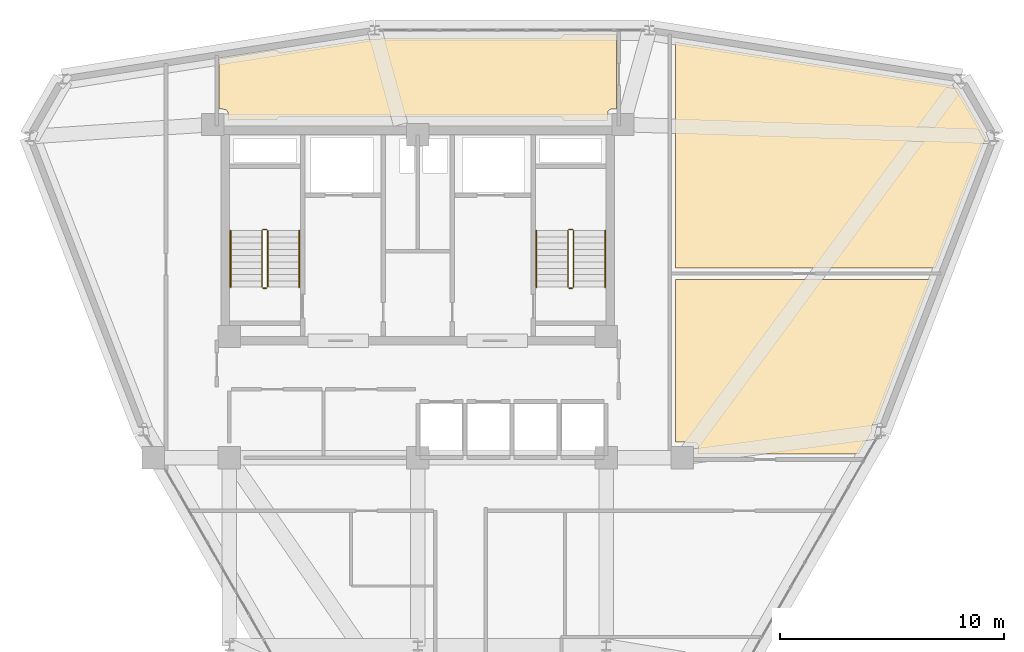
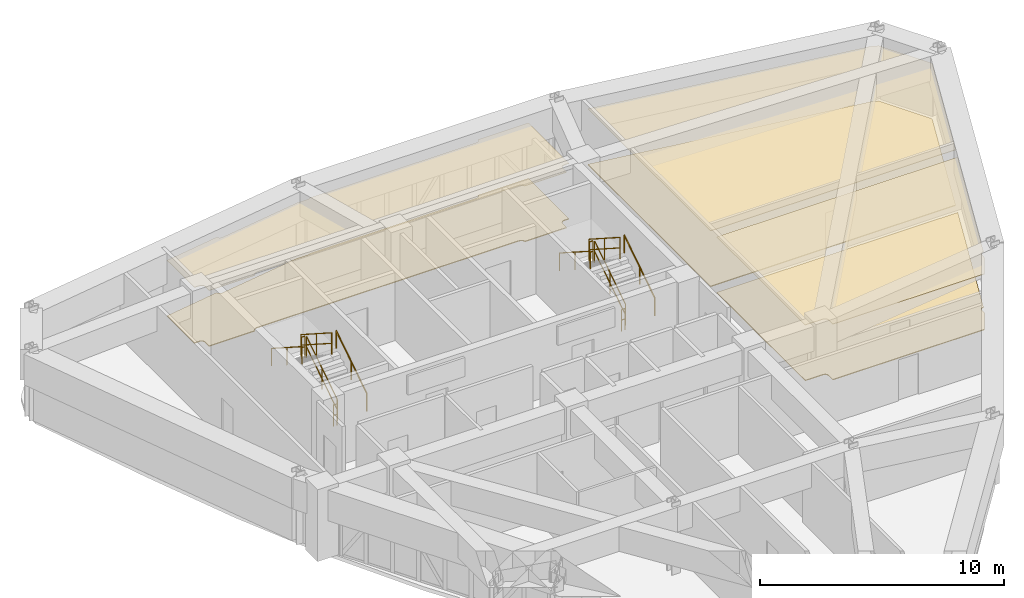
# One storey, part 19 of 19: 12 railings, 6 coverings.
"""IFC4 building model written with IfcOpenShell, lengths in metres."""

from ifc_helpers import new_model, si_unit, derived_unit, direction, frame, origin, origin_2d, place, context, subcontext, project, spatial, polyline, circle, outline, extrude, material, layer, layer_set, type_object, element, save


model = new_model("IFC4")

# Units and contexts
model_context = context("Model", 3, precision=1e-05, world=origin(), true_north=direction((0.0, 1.0)))
body_context = subcontext(model_context, "Body", "Model", "MODEL_VIEW")
ifc_project = project(units=[si_unit("LENGTHUNIT", "METRE"), si_unit("AREAUNIT", "SQUARE_METRE"), si_unit("VOLUMEUNIT", "CUBIC_METRE"), si_unit("PLANEANGLEUNIT", "RADIAN"), si_unit("MASSUNIT", "GRAM", prefix="KILO"), derived_unit("THERMALTRANSMITTANCEUNIT", [(si_unit("POWERUNIT", "WATT"), 1), (si_unit("LENGTHUNIT", "METRE"), -2), (si_unit("THERMODYNAMICTEMPERATUREUNIT", "KELVIN"), -1)])], contexts=[model_context])

# Site, building, storey
site_placement = place(None, origin())
site = spatial("IfcSite", under=ifc_project, at=site_placement, CompositionType="ELEMENT")
building_placement = place(site_placement, origin())
building = spatial("IfcBuilding", under=site, at=building_placement, Name="Korsvarv Bourse and Concert Hall", CompositionType="ELEMENT")
storey_placement = place(building_placement, frame((0.0, 0.0, 223.800048828125)))
storey = spatial("IfcBuildingStorey", under=building, at=storey_placement, Name="L58", CompositionType="ELEMENT", Elevation=223.800048828125)

# Coverings
ifc_material_1 = material(Name="Perforated mineral-wool and birch acoustic baffle ceiling", Category="wood")
ifc_layer_1 = layer(ifc_material_1, 0.02490234375)
ifc_layer_set_1 = layer_set([ifc_layer_1], Name="Perforated mineral-wool and birch acoustic baffle ceiling")
covering_type_1 = type_object("IfcCoveringType", Name="COV-CEIL-1", PredefinedType="CEILING", material=ifc_layer_set_1)
covering_1_placement = place(storey_placement, frame((0.0, 0.0, 2.7900390625)))
element("IfcCovering", 1, at=covering_1_placement, inside=storey, type_object=covering_type_1, Name="L58 acoustic baffle ceiling 1", PredefinedType="CEILING", context=body_context, shape_type="SweptSolid", body=[
    extrude(outline(polyline([(59.8564453125, 48.976806640625), (59.876953125, 48.947265625), (59.90283203125, 48.922119140625), (59.933349609375, 48.902587890625), (59.967041015625, 48.889892578125), (60.00244140625, 48.8837890625), (60.060546875, 48.880126953125), (61.314208984375, 46.708984375), (61.314208984375, 46.63427734375), (59.082275390625, 40.85009765625), (47.47998046875, 40.85009765625), (47.47998046875, 50.923828125), (59.8564453125, 48.976806640625)])), origin(), (0.0, 0.0, 1.0), 0.02490234375),
])
covering_2_placement = place(storey_placement, frame((0.0, 0.0, 2.7900390625)))
element("IfcCovering", 2, at=covering_2_placement, inside=storey, type_object=covering_type_1, Name="L58 acoustic baffle ceiling 2", PredefinedType="CEILING", context=body_context, shape_type="SweptSolid", body=[
    extrude(outline(polyline([(48.489990234375, 32.570068359375), (48.489990234375, 32.89990234375), (48.486572265625, 32.934814453125), (48.4765625, 32.968505859375), (48.4599609375, 32.99951171875), (48.43798828125, 33.026611328125), (48.410888671875, 33.049072265625), (48.380126953125, 33.06591796875), (48.3466796875, 33.076171875), (48.311767578125, 33.080078125), (47.47998046875, 33.088134765625), (47.47998046875, 40.35009765625), (58.889404296875, 40.35009765625), (56.428466796875, 33.9716796875), (56.402099609375, 33.968994140625), (56.369140625, 33.958984375), (56.338623046875, 33.943359375), (56.3115234375, 33.921875), (56.289306640625, 33.895751953125), (56.272216796875, 33.86572265625), (56.26123046875, 33.8330078125), (56.256591796875, 33.798828125), (56.248291015625, 33.57666015625), (55.666748046875, 32.5693359375), (48.489990234375, 32.570068359375)])), origin(), (0.0, 0.0, 1.0), 0.02490234375),
])
covering_3_placement = place(storey_placement, frame((0.0, 0.0, 2.7900390625)))
element("IfcCovering", 3, at=covering_3_placement, inside=storey, type_object=covering_type_1, Name="L58 acoustic baffle ceiling 3", PredefinedType="CEILING", context=body_context, shape_type="SweptSolid", body=[
    extrude(outline(polyline([(29.71533203125, 50.583984375), (29.724365234375, 50.560302734375), (29.74267578125, 50.52978515625), (29.766357421875, 50.50341796875), (29.794921875, 50.482421875), (29.8271484375, 50.46728515625), (29.861572265625, 50.458740234375), (29.89697265625, 50.457275390625), (33.822021484375, 51.065185546875), (33.84814453125, 51.06005859375), (34.281005859375, 51.052001953125), (34.317138671875, 51.054931640625), (34.35205078125, 51.065185546875), (34.38427734375, 51.08251953125), (34.412109375, 51.105712890625), (42.31005859375, 51.10986328125), (42.34619140625, 51.113525390625), (42.381103515625, 51.12451171875), (42.412841796875, 51.14208984375), (42.4404296875, 51.166015625), (42.462646484375, 51.194580078125), (42.478759765625, 51.227294921875), (42.48779296875, 51.2626953125), (44.8701171875, 51.27001953125), (44.8701171875, 47.93994140625), (44.64990234375, 47.93994140625), (44.615234375, 47.9365234375), (44.581787109375, 47.926513671875), (44.551025390625, 47.910400390625), (44.52392578125, 47.888427734375), (44.501708984375, 47.86181640625), (44.48486328125, 47.831298828125), (44.47412109375, 47.798095703125), (44.469970703125, 47.763671875), (44.463623046875, 47.43994140625), (42.48876953125, 47.43994140625), (42.484130859375, 47.465087890625), (42.4716796875, 47.499267578125), (42.452392578125, 47.5302734375), (42.42724609375, 47.556640625), (42.397216796875, 47.577392578125), (42.364013671875, 47.591796875), (42.328125, 47.59912109375), (29.889892578125, 47.60009765625), (29.853759765625, 47.59619140625), (29.819091796875, 47.58544921875), (29.787109375, 47.567626953125), (29.759521484375, 47.5439453125), (29.7373046875, 47.51513671875), (29.72119140625, 47.482421875), (29.712158203125, 47.447265625), (27.5400390625, 47.43994140625), (27.5400390625, 47.75), (27.53662109375, 47.78466796875), (27.526611328125, 47.81787109375), (27.510498046875, 47.8486328125), (27.48876953125, 47.875732421875), (27.46240234375, 47.898193359375), (27.431884765625, 47.9150390625), (27.39892578125, 47.92578125), (27.364501953125, 47.929931640625), (27.1298828125, 47.935791015625), (27.1298828125, 50.168701171875), (29.71533203125, 50.583984375)])), origin(), (0.0, 0.0, 1.0), 0.02490234375),
])
ifc_material_2 = material(Name="Calcium-sulphate raised access trading floor with Nordic oak top", Category="wood")
ifc_layer_2 = layer(ifc_material_2, 0.0400390625)
ifc_layer_set_2 = layer_set([ifc_layer_2], Name="Calcium-sulphate raised access trading floor with Nordic oak top")
covering_type_2 = type_object("IfcCoveringType", Name="COV-FLOR-1", PredefinedType="FLOORING", material=ifc_layer_set_2)
covering_4_placement = place(storey_placement, origin())
element("IfcCovering", 4, at=covering_4_placement, inside=storey, type_object=covering_type_2, Name="L58 raised access oak floor finish 1", PredefinedType="FLOORING", context=body_context, shape_type="SweptSolid", body=[
    extrude(outline(polyline([(59.8564453125, 48.976806640625), (59.876953125, 48.947265625), (59.90283203125, 48.922119140625), (59.933349609375, 48.902587890625), (59.967041015625, 48.889892578125), (60.00244140625, 48.8837890625), (60.060546875, 48.880126953125), (61.314208984375, 46.708984375), (61.314208984375, 46.63427734375), (59.082275390625, 40.85009765625), (47.47998046875, 40.85009765625), (47.47998046875, 50.923828125), (59.8564453125, 48.976806640625)])), origin(), (0.0, 0.0, 1.0), 0.0400390625),
])
covering_5_placement = place(storey_placement, origin())
element("IfcCovering", 5, at=covering_5_placement, inside=storey, type_object=covering_type_2, Name="L58 raised access oak floor finish 2", PredefinedType="FLOORING", context=body_context, shape_type="SweptSolid", body=[
    extrude(outline(polyline([(48.489990234375, 32.570068359375), (48.489990234375, 32.89990234375), (48.486572265625, 32.934814453125), (48.4765625, 32.968505859375), (48.4599609375, 32.99951171875), (48.43798828125, 33.026611328125), (48.410888671875, 33.049072265625), (48.380126953125, 33.06591796875), (48.3466796875, 33.076171875), (48.311767578125, 33.080078125), (47.47998046875, 33.088134765625), (47.47998046875, 40.35009765625), (58.889404296875, 40.35009765625), (56.428466796875, 33.9716796875), (56.402099609375, 33.968994140625), (56.369140625, 33.958984375), (56.338623046875, 33.943359375), (56.3115234375, 33.921875), (56.289306640625, 33.895751953125), (56.272216796875, 33.86572265625), (56.26123046875, 33.8330078125), (56.256591796875, 33.798828125), (56.248291015625, 33.57666015625), (55.666748046875, 32.5693359375), (48.489990234375, 32.570068359375)])), origin(), (0.0, 0.0, 1.0), 0.0400390625),
])
covering_6_placement = place(storey_placement, origin())
element("IfcCovering", 6, at=covering_6_placement, inside=storey, type_object=covering_type_2, Name="L58 raised access oak floor finish 3", PredefinedType="FLOORING", context=body_context, shape_type="SweptSolid", body=[
    extrude(outline(polyline([(29.71533203125, 50.583984375), (29.724365234375, 50.560302734375), (29.74267578125, 50.52978515625), (29.766357421875, 50.50341796875), (29.794921875, 50.482421875), (29.8271484375, 50.46728515625), (29.861572265625, 50.458740234375), (29.89697265625, 50.457275390625), (33.822021484375, 51.065185546875), (33.84814453125, 51.06005859375), (34.281005859375, 51.052001953125), (34.317138671875, 51.054931640625), (34.35205078125, 51.065185546875), (34.38427734375, 51.08251953125), (34.412109375, 51.105712890625), (42.31005859375, 51.10986328125), (42.34619140625, 51.113525390625), (42.381103515625, 51.12451171875), (42.412841796875, 51.14208984375), (42.4404296875, 51.166015625), (42.462646484375, 51.194580078125), (42.478759765625, 51.227294921875), (42.48779296875, 51.2626953125), (44.8701171875, 51.27001953125), (44.8701171875, 47.93994140625), (44.64990234375, 47.93994140625), (44.615234375, 47.9365234375), (44.581787109375, 47.926513671875), (44.551025390625, 47.910400390625), (44.52392578125, 47.888427734375), (44.501708984375, 47.86181640625), (44.48486328125, 47.831298828125), (44.47412109375, 47.798095703125), (44.469970703125, 47.763671875), (44.463623046875, 47.43994140625), (42.48876953125, 47.43994140625), (42.484130859375, 47.465087890625), (42.4716796875, 47.499267578125), (42.452392578125, 47.5302734375), (42.42724609375, 47.556640625), (42.397216796875, 47.577392578125), (42.364013671875, 47.591796875), (42.328125, 47.59912109375), (29.889892578125, 47.60009765625), (29.853759765625, 47.59619140625), (29.819091796875, 47.58544921875), (29.787109375, 47.567626953125), (29.759521484375, 47.5439453125), (29.7373046875, 47.51513671875), (29.72119140625, 47.482421875), (29.712158203125, 47.447265625), (27.5400390625, 47.43994140625), (27.5400390625, 47.75), (27.53662109375, 47.78466796875), (27.526611328125, 47.81787109375), (27.510498046875, 47.8486328125), (27.48876953125, 47.875732421875), (27.46240234375, 47.898193359375), (27.431884765625, 47.9150390625), (27.39892578125, 47.92578125), (27.364501953125, 47.929931640625), (27.1298828125, 47.935791015625), (27.1298828125, 50.168701171875), (29.71533203125, 50.583984375)])), origin(), (0.0, 0.0, 1.0), 0.0400390625),
])

# Railings
ifc_material_3 = material(Name="Painted Steel S355 stair well guardrail", Category="steel")
railing_type_1 = type_object("IfcRailingType", Name="RL-ST-GRD", PredefinedType="GUARDRAIL", material=ifc_material_3)
railing_1_placement = place(storey_placement, frame((29.31005859375, 40.0, 0.179931640625)))
element("IfcRailing", 7, at=railing_1_placement, inside=storey, type_object=railing_type_1, Name="L58 ST-T1 stair guard 1", PredefinedType="GUARDRAIL", context=body_context, shape_type="SweptSolid", body=[
    extrude(circle(Radius=0.02392578125, at=origin_2d()), frame((0.0, 0.0, 1.076171875), z_axis=(0.0, 0.841162588446, 0.540782303519), x_axis=(-1.0, 0.0, 0.0)), (0.0, 0.0, 1.0), 2.995849609375),
    extrude(circle(Radius=0.02392578125, at=origin_2d()), frame((0.0, 0.0, 0.550048828125), z_axis=(0.0, 0.841162588446, 0.540782303519), x_axis=(-1.0, 0.0, 0.0)), (0.0, 0.0, 1.0), 2.995849609375),
    extrude(circle(Radius=0.02099609375, at=origin_2d()), origin(), (0.0, 0.0, 1.0), 1.052001953125),
    extrude(circle(Radius=0.02099609375, at=origin_2d()), frame((0.0, 1.260009765625, 0.81005859375)), (0.0, 0.0, 1.0), 1.052001953125),
    extrude(circle(Radius=0.02099609375, at=origin_2d()), frame((0.0, 2.52001953125, 1.6201171875)), (0.0, 0.0, 1.0), 1.052001953125),
])
railing_2_placement = place(storey_placement, frame((29.260009765625, 42.570068359375, 1.800048828125)))
element("IfcRailing", 8, at=railing_2_placement, inside=storey, type_object=railing_type_1, Name="L58 ST-T1 stair guard 2", PredefinedType="GUARDRAIL", context=body_context, shape_type="SweptSolid", body=[
    extrude(circle(Radius=0.02392578125, at=origin_2d()), frame((0.0, 0.0, 1.076171875), z_axis=(-1.0, 0.0, 0.0), x_axis=(0.0, -1.0, 0.0)), (0.0, 0.0, 1.0), 0.159912109375),
    extrude(circle(Radius=0.02392578125, at=origin_2d()), frame((0.0, 0.0, 0.550048828125), z_axis=(-1.0, 0.0, 0.0), x_axis=(0.0, -1.0, 0.0)), (0.0, 0.0, 1.0), 0.159912109375),
    extrude(circle(Radius=0.02099609375, at=origin_2d()), origin(), (0.0, 0.0, 1.0), 1.052001953125),
    extrude(circle(Radius=0.02099609375, at=origin_2d()), frame((-0.159912109375, 0.0, 0.0)), (0.0, 0.0, 1.0), 1.052001953125),
])
railing_3_placement = place(storey_placement, frame((29.050048828125, 42.52001953125, 1.97998046875)))
element("IfcRailing", 9, at=railing_3_placement, inside=storey, type_object=railing_type_1, Name="L58 ST-T1 stair guard 3", PredefinedType="GUARDRAIL", context=body_context, shape_type="SweptSolid", body=[
    extrude(circle(Radius=0.02392578125, at=origin_2d()), frame((0.0, 0.0, 1.076171875), z_axis=(0.0, -0.841199657755, 0.540724639528), x_axis=(1.0, 0.0, 0.0)), (0.0, 0.0, 1.0), 2.995849609375),
    extrude(circle(Radius=0.02392578125, at=origin_2d()), frame((0.0, 0.0, 0.550048828125), z_axis=(0.0, -0.841199657755, 0.540724639528), x_axis=(1.0, 0.0, 0.0)), (0.0, 0.0, 1.0), 2.995849609375),
    extrude(circle(Radius=0.02099609375, at=origin_2d()), origin(), (0.0, 0.0, 1.0), 1.052001953125),
    extrude(circle(Radius=0.02099609375, at=origin_2d()), frame((0.0, -1.260009765625, 0.81005859375)), (0.0, 0.0, 1.0), 1.052001953125),
    extrude(circle(Radius=0.02099609375, at=origin_2d()), frame((0.0, -2.52001953125, 1.619873046875)), (0.0, 0.0, 1.0), 1.052001953125),
])
railing_4_placement = place(storey_placement, frame((29.260009765625, 39.949951171875, 0.0)))
element("IfcRailing", 10, at=railing_4_placement, inside=storey, type_object=railing_type_1, Name="L58 ST-T1 stair guard 4", PredefinedType="GUARDRAIL", context=body_context, shape_type="SweptSolid", body=[
    extrude(circle(Radius=0.02392578125, at=origin_2d()), frame((0.0, 0.0, 1.076171875), z_axis=(-1.0, 0.0, 0.0), x_axis=(0.0, -1.0, 0.0)), (0.0, 0.0, 1.0), 0.159912109375),
    extrude(circle(Radius=0.02392578125, at=origin_2d()), frame((0.0, 0.0, 0.550048828125), z_axis=(-1.0, 0.0, 0.0), x_axis=(0.0, -1.0, 0.0)), (0.0, 0.0, 1.0), 0.159912109375),
    extrude(circle(Radius=0.02099609375, at=origin_2d()), origin(), (0.0, 0.0, 1.0), 1.052001953125),
    extrude(circle(Radius=0.02099609375, at=origin_2d()), frame((-0.159912109375, 0.0, 0.0)), (0.0, 0.0, 1.0), 1.052001953125),
])
railing_5_placement = place(storey_placement, frame((42.949951171875, 40.0, 0.179931640625)))
element("IfcRailing", 11, at=railing_5_placement, inside=storey, type_object=railing_type_1, Name="L58 ST-T2 stair guard 1", PredefinedType="GUARDRAIL", context=body_context, shape_type="SweptSolid", body=[
    extrude(circle(Radius=0.02392578125, at=origin_2d()), frame((0.0, 0.0, 1.076171875), z_axis=(0.0, 0.841162588446, 0.540782303519), x_axis=(-1.0, 0.0, 0.0)), (0.0, 0.0, 1.0), 2.995849609375),
    extrude(circle(Radius=0.02392578125, at=origin_2d()), frame((0.0, 0.0, 0.550048828125), z_axis=(0.0, 0.841162588446, 0.540782303519), x_axis=(-1.0, 0.0, 0.0)), (0.0, 0.0, 1.0), 2.995849609375),
    extrude(circle(Radius=0.02099609375, at=origin_2d()), origin(), (0.0, 0.0, 1.0), 1.052001953125),
    extrude(circle(Radius=0.02099609375, at=origin_2d()), frame((0.0, 1.260009765625, 0.81005859375)), (0.0, 0.0, 1.0), 1.052001953125),
    extrude(circle(Radius=0.02099609375, at=origin_2d()), frame((0.0, 2.52001953125, 1.6201171875)), (0.0, 0.0, 1.0), 1.052001953125),
])
railing_6_placement = place(storey_placement, frame((42.89990234375, 42.570068359375, 1.800048828125)))
element("IfcRailing", 12, at=railing_6_placement, inside=storey, type_object=railing_type_1, Name="L58 ST-T2 stair guard 2", PredefinedType="GUARDRAIL", context=body_context, shape_type="SweptSolid", body=[
    extrude(circle(Radius=0.02392578125, at=origin_2d()), frame((0.0, 0.0, 1.076171875), z_axis=(-1.0, 0.0, 0.0), x_axis=(0.0, -1.0, 0.0)), (0.0, 0.0, 1.0), 0.159912109375),
    extrude(circle(Radius=0.02392578125, at=origin_2d()), frame((0.0, 0.0, 0.550048828125), z_axis=(-1.0, 0.0, 0.0), x_axis=(0.0, -1.0, 0.0)), (0.0, 0.0, 1.0), 0.159912109375),
    extrude(circle(Radius=0.02099609375, at=origin_2d()), origin(), (0.0, 0.0, 1.0), 1.052001953125),
    extrude(circle(Radius=0.02099609375, at=origin_2d()), frame((-0.159912109375, 0.0, 0.0)), (0.0, 0.0, 1.0), 1.052001953125),
])
railing_7_placement = place(storey_placement, frame((42.68994140625, 42.52001953125, 1.97998046875)))
element("IfcRailing", 13, at=railing_7_placement, inside=storey, type_object=railing_type_1, Name="L58 ST-T2 stair guard 3", PredefinedType="GUARDRAIL", context=body_context, shape_type="SweptSolid", body=[
    extrude(circle(Radius=0.02392578125, at=origin_2d()), frame((0.0, 0.0, 1.076171875), z_axis=(0.0, -0.841199657755, 0.540724639528), x_axis=(1.0, 0.0, 0.0)), (0.0, 0.0, 1.0), 2.995849609375),
    extrude(circle(Radius=0.02392578125, at=origin_2d()), frame((0.0, 0.0, 0.550048828125), z_axis=(0.0, -0.841199657755, 0.540724639528), x_axis=(1.0, 0.0, 0.0)), (0.0, 0.0, 1.0), 2.995849609375),
    extrude(circle(Radius=0.02099609375, at=origin_2d()), origin(), (0.0, 0.0, 1.0), 1.052001953125),
    extrude(circle(Radius=0.02099609375, at=origin_2d()), frame((0.0, -1.260009765625, 0.81005859375)), (0.0, 0.0, 1.0), 1.052001953125),
    extrude(circle(Radius=0.02099609375, at=origin_2d()), frame((0.0, -2.52001953125, 1.619873046875)), (0.0, 0.0, 1.0), 1.052001953125),
])
railing_8_placement = place(storey_placement, frame((42.89990234375, 39.949951171875, 0.0)))
element("IfcRailing", 14, at=railing_8_placement, inside=storey, type_object=railing_type_1, Name="L58 ST-T2 stair guard 4", PredefinedType="GUARDRAIL", context=body_context, shape_type="SweptSolid", body=[
    extrude(circle(Radius=0.02392578125, at=origin_2d()), frame((0.0, 0.0, 1.076171875), z_axis=(-1.0, 0.0, 0.0), x_axis=(0.0, -1.0, 0.0)), (0.0, 0.0, 1.0), 0.159912109375),
    extrude(circle(Radius=0.02392578125, at=origin_2d()), frame((0.0, 0.0, 0.550048828125), z_axis=(-1.0, 0.0, 0.0), x_axis=(0.0, -1.0, 0.0)), (0.0, 0.0, 1.0), 0.159912109375),
    extrude(circle(Radius=0.02099609375, at=origin_2d()), origin(), (0.0, 0.0, 1.0), 1.052001953125),
    extrude(circle(Radius=0.02099609375, at=origin_2d()), frame((-0.159912109375, 0.0, 0.0)), (0.0, 0.0, 1.0), 1.052001953125),
])
ifc_material_4 = material(Name="Brushed stainless Steel S355 tubular handrail", Category="steel")
railing_type_2 = type_object("IfcRailingType", Name="RL-ST-HND", PredefinedType="HANDRAIL", material=ifc_material_4)
railing_9_placement = place(storey_placement, frame((30.7099609375, 40.0, 0.179931640625)))
element("IfcRailing", 15, at=railing_9_placement, inside=storey, type_object=railing_type_2, Name="L58 ST-T1 stair handrail 1", PredefinedType="HANDRAIL", context=body_context, shape_type="SweptSolid", body=[
    extrude(circle(Radius=0.02392578125, at=origin_2d()), frame((0.0, 0.0, 0.8759765625), z_axis=(0.0, 0.841162588446, 0.540782303519), x_axis=(-1.0, 0.0, 0.0)), (0.0, 0.0, 1.0), 2.995849609375),
    extrude(circle(Radius=0.02099609375, at=origin_2d()), origin(), (0.0, 0.0, 1.0), 0.851806640625),
    extrude(circle(Radius=0.02099609375, at=origin_2d()), frame((0.0, 1.260009765625, 0.81005859375)), (0.0, 0.0, 1.0), 0.851806640625),
    extrude(circle(Radius=0.02099609375, at=origin_2d()), frame((0.0, 2.52001953125, 1.6201171875)), (0.0, 0.0, 1.0), 0.851806640625),
])
railing_10_placement = place(storey_placement, frame((27.64990234375, 42.52001953125, 1.97998046875)))
element("IfcRailing", 16, at=railing_10_placement, inside=storey, type_object=railing_type_2, Name="L58 ST-T1 stair handrail 2", PredefinedType="HANDRAIL", context=body_context, shape_type="SweptSolid", body=[
    extrude(circle(Radius=0.02392578125, at=origin_2d()), frame((0.0, 0.0, 0.8759765625), z_axis=(0.0, -0.841199657755, 0.540724639528), x_axis=(1.0, 0.0, 0.0)), (0.0, 0.0, 1.0), 2.995849609375),
    extrude(circle(Radius=0.02099609375, at=origin_2d()), origin(), (0.0, 0.0, 1.0), 0.851806640625),
    extrude(circle(Radius=0.02099609375, at=origin_2d()), frame((0.0, -1.260009765625, 0.81005859375)), (0.0, 0.0, 1.0), 0.851806640625),
    extrude(circle(Radius=0.02099609375, at=origin_2d()), frame((0.0, -2.52001953125, 1.619873046875)), (0.0, 0.0, 1.0), 0.851806640625),
])
railing_11_placement = place(storey_placement, frame((44.35009765625, 40.0, 0.179931640625)))
element("IfcRailing", 17, at=railing_11_placement, inside=storey, type_object=railing_type_2, Name="L58 ST-T2 stair handrail 1", PredefinedType="HANDRAIL", context=body_context, shape_type="SweptSolid", body=[
    extrude(circle(Radius=0.02392578125, at=origin_2d()), frame((0.0, 0.0, 0.8759765625), z_axis=(0.0, 0.841162588446, 0.540782303519), x_axis=(-1.0, 0.0, 0.0)), (0.0, 0.0, 1.0), 2.995849609375),
    extrude(circle(Radius=0.02099609375, at=origin_2d()), origin(), (0.0, 0.0, 1.0), 0.851806640625),
    extrude(circle(Radius=0.02099609375, at=origin_2d()), frame((0.0, 1.260009765625, 0.81005859375)), (0.0, 0.0, 1.0), 0.851806640625),
    extrude(circle(Radius=0.02099609375, at=origin_2d()), frame((0.0, 2.52001953125, 1.6201171875)), (0.0, 0.0, 1.0), 0.851806640625),
])
railing_12_placement = place(storey_placement, frame((41.2900390625, 42.52001953125, 1.97998046875)))
element("IfcRailing", 18, at=railing_12_placement, inside=storey, type_object=railing_type_2, Name="L58 ST-T2 stair handrail 2", PredefinedType="HANDRAIL", context=body_context, shape_type="SweptSolid", body=[
    extrude(circle(Radius=0.02392578125, at=origin_2d()), frame((0.0, 0.0, 0.8759765625), z_axis=(0.0, -0.841199657755, 0.540724639528), x_axis=(1.0, 0.0, 0.0)), (0.0, 0.0, 1.0), 2.995849609375),
    extrude(circle(Radius=0.02099609375, at=origin_2d()), origin(), (0.0, 0.0, 1.0), 0.851806640625),
    extrude(circle(Radius=0.02099609375, at=origin_2d()), frame((0.0, -1.260009765625, 0.81005859375)), (0.0, 0.0, 1.0), 0.851806640625),
    extrude(circle(Radius=0.02099609375, at=origin_2d()), frame((0.0, -2.52001953125, 1.619873046875)), (0.0, 0.0, 1.0), 0.851806640625),
])

save(model, "model.ifc")
